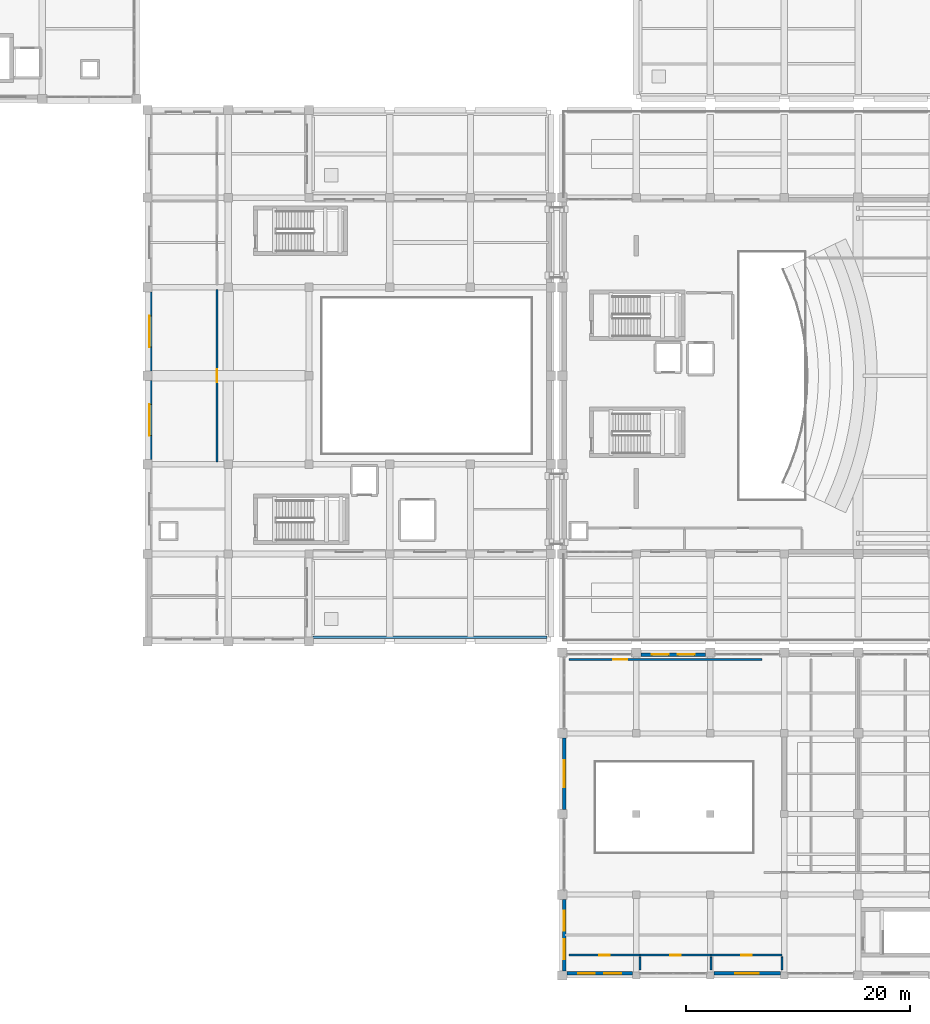
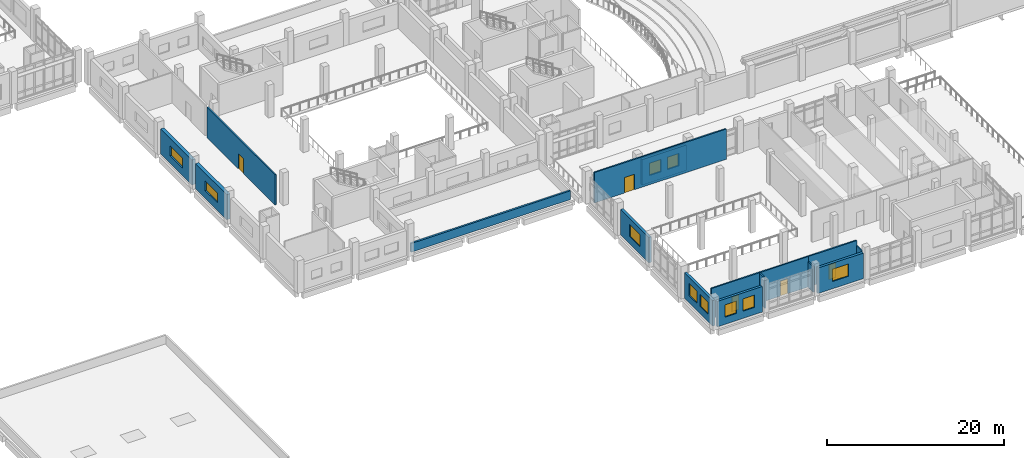
# One storey, part 37 of 54: 16 walls, 10 windows, 5 doors, 15 openings.
"""IFC4 building model written with IfcOpenShell, lengths in metres."""

from ifc_helpers import new_model, si_unit, direction, frame, frame_2d, origin, place, context, subcontext, project, spatial, rectangle, extrude, material, layer, layer_set, type_object, element, fill, save


model = new_model("IFC4")

# Units and contexts
model_context = context("Model", 3, precision=1e-05, world=origin(), true_north=direction((0.0, 1.0)))
body_context = subcontext(model_context, "Body", "Model", "MODEL_VIEW")
ifc_project = project(units=[si_unit("LENGTHUNIT", "METRE"), si_unit("AREAUNIT", "SQUARE_METRE"), si_unit("VOLUMEUNIT", "CUBIC_METRE"), si_unit("PLANEANGLEUNIT", "RADIAN"), si_unit("MASSUNIT", "GRAM", prefix="KILO")], contexts=[model_context])

# Site, building, storey
site_placement = place(None, origin())
site = spatial("IfcSite", under=ifc_project, at=site_placement, CompositionType="ELEMENT")
building_placement = place(site_placement, origin())
building = spatial("IfcBuilding", under=site, at=building_placement, Name="Kelarvand Opera House", CompositionType="ELEMENT")
storey_placement = place(building_placement, frame((0.0, 0.0, 15.0)))
storey = spatial("IfcBuildingStorey", under=building, at=storey_placement, Name="L03", CompositionType="ELEMENT", Elevation=15.0)

# Walls
ifc_material_1 = material(Name="Acoustic double-stud gypsum partition")
ifc_layer_1 = layer(ifc_material_1, 0.14990234375, Name="Acoustic double-stud gypsum partition")
ifc_layer_set_1 = layer_set([ifc_layer_1], Name="Acoustic double-stud gypsum partition")
wall_type_1 = type_object("IfcWallType", Name="Acoustic Room Partition Wall 150", PredefinedType="PARTITIONING", material=ifc_layer_set_1)
wall_1_placement = place(storey_placement, frame((95.93310546875, 9.5, 0.0), z_axis=(0.0, 0.0, 1.0), x_axis=(0.0, 1.0, 0.0)))
element("IfcWall", 1, at=wall_1_placement, inside=storey, type_object=wall_type_1, Name="V6 L03 Partition Wall IW-150 (608)", PredefinedType="PARTITIONING", context=body_context, shape_type="SweptSolid", body=[
    extrude(rectangle(XDim=1.159912109375, YDim=0.14990234375, at=frame_2d((0.580078125, 0.0))), origin(), (0.0, 0.0, 1.0), 4.19189453125),
])
for number, where, z_axis, x_axis, name in (
    (2, (102.26708984375, 9.5, 0.0), (0.0, 0.0, 1.0), (0.0, 1.0, 0.0), "V6 L03 Partition Wall IW-150 (610)"),
    (3, (108.60009765625, 9.5, 0.0), (0.0, 0.0, 1.0), (0.0, 1.0, 0.0), "V6 L03 Partition Wall IW-150 (611)"),
):
    element("IfcWall", number, at=place(storey_placement, frame(where, z_axis=z_axis, x_axis=x_axis)), inside=storey, type_object=wall_type_1, Name=name, PredefinedType="PARTITIONING", context=body_context, shape_type="SweptSolid", body=[
        extrude(rectangle(XDim=1.159912109375, YDim=0.14990234375, at=frame_2d((0.580078125, 0.0))), origin(), (0.0, 0.0, 1.0), 3.52197265625),
    ])
ifc_material_2 = material(Name="Concrete C35/45", Category="concrete")
ifc_layer_2 = layer(ifc_material_2, 0.239990234375, Name="Concrete C35/45", Category="concrete")
ifc_layer_set_2 = layer_set([ifc_layer_2], Name="Concrete C35/45")
wall_type_2 = type_object("IfcWallType", Name="Capped Travertine Roof Parapet 240", PredefinedType="PARAPET", material=ifc_layer_set_2)
wall_2_placement = place(storey_placement, frame((66.780029296875, 39.179931640625, 0.0), z_axis=(0.0, 0.0, 1.0), x_axis=(1.0, 0.0, 0.0)))
element("IfcWall", 4, at=wall_2_placement, inside=storey, type_object=wall_type_2, Name="V2 Roof Parapet 5", PredefinedType="PARAPET", context=body_context, shape_type="SweptSolid", body=[
    extrude(rectangle(XDim=20.840087890625, YDim=0.239990234375, at=frame_2d((10.419921875, 0.0))), origin(), (0.0, 0.0, 1.0), 1.199951171875),
])

# Wall, opening, door
ifc_layer_3 = layer(ifc_material_2, 0.179931640625, Name="Concrete C35/45", Category="concrete")
ifc_layer_set_3 = layer_set([ifc_layer_3], Name="Concrete C35/45")
wall_type_3 = type_object("IfcWallType", Name="Corridor Fire-Rated Partition Wall 180 EI90", PredefinedType="PARTITIONING", material=ifc_layer_set_3)
wall_3_placement = place(storey_placement, frame((58.199951171875, 54.800048828125, 0.0), z_axis=(0.0, 0.0, 1.0), x_axis=(0.0, 1.0, 0.0)))
wall_3 = element("IfcWall", 5, at=wall_3_placement, inside=storey, type_object=wall_type_3, Name="V2 L03 Partition Wall IW-90 (584)", PredefinedType="PARTITIONING", context=body_context, shape_type="SweptSolid", body=[
    extrude(rectangle(XDim=15.39990234375, YDim=0.179931640625, at=frame_2d((7.699951171875, 0.0))), origin(), (0.0, 0.0, 1.0), 4.19189453125),
])
opening_1_placement = place(wall_3_placement, frame((7.139892578125, 0.0, 0.0)))
opening_1 = element("IfcOpeningElement", 6, at=opening_1_placement, cuts=wall_3, Name="Opening D-10", PredefinedType="OPENING", context=body_context, shape_type="SweptSolid", body=[
    extrude(rectangle(XDim=1.1201171875, YDim=2.1201171875, at=frame_2d((0.56005859375, 1.06005859375))), frame((0.0, 0.10009765625, 0.0), z_axis=(0.0, -1.0, 0.0), x_axis=(1.0, 0.0, 0.0)), (0.0, 0.0, 1.0), 0.199951171875),
])
ifc_material_3 = material(Name="Acoustic walnut-veneered hardwood", Category="wood")
door_type_1 = type_object("IfcDoorType", Name="Chorus Studio Single Door 1120x2120", OperationType="NOTDEFINED", PredefinedType="DOOR", material=ifc_material_3)
door_1_placement = place(opening_1_placement, origin())
door_1 = element("IfcDoor", 7, at=door_1_placement, inside=storey, type_object=door_type_1, Name="V2 L03 Door D-10 (262)", OperationType="SINGLE_SWING_RIGHT", OverallHeight=2.1201171875, OverallWidth=1.1201171875, PredefinedType="DOOR", context=body_context, shape_type="SweptSolid", body=[
    extrude(rectangle(XDim=1.1201171875, YDim=2.1201171875, at=frame_2d((0.56005859375, 1.06005859375))), frame((0.0, 0.02490234375, 0.0), z_axis=(0.0, -1.0, 0.0), x_axis=(1.0, 0.0, 0.0)), (0.0, 0.0, 1.0), 0.050048828125),
])
fill(opening_1, door_1)

wall_4_placement = place(storey_placement, frame((89.60009765625, 37.199951171875, 0.0), z_axis=(0.0, 0.0, 1.0), x_axis=(1.0, 0.0, 0.0)))
wall_4 = element("IfcWall", 8, at=wall_4_placement, inside=storey, type_object=wall_type_3, Name="V6 L03 Partition Wall IW-90 (606)", PredefinedType="PARTITIONING", context=body_context, shape_type="SweptSolid", body=[
    extrude(rectangle(XDim=17.199951171875, YDim=0.179931640625, at=frame_2d((8.60009765625, 0.0))), origin(), (0.0, 0.0, 1.0), 4.19189453125),
])
opening_2_placement = place(wall_4_placement, frame((3.931884765625, 0.0, 0.0)))
opening_2 = element("IfcOpeningElement", 9, at=opening_2_placement, cuts=wall_4, Name="Opening D-11", PredefinedType="OPENING", context=body_context, shape_type="SweptSolid", body=[
    extrude(rectangle(XDim=1.280029296875, YDim=2.139892578125, at=frame_2d((0.64013671875, 1.06982421875))), frame((0.0, 0.10009765625, 0.0), z_axis=(0.0, -1.0, 0.0), x_axis=(1.0, 0.0, 0.0)), (0.0, 0.0, 1.0), 0.199951171875),
])
door_type_2 = type_object("IfcDoorType", Name="Instrument Store Leaf-and-Half Door 1280x2140", OperationType="NOTDEFINED", PredefinedType="DOOR", material=ifc_material_3)
door_2_placement = place(opening_2_placement, origin())
door_2 = element("IfcDoor", 10, at=door_2_placement, inside=storey, type_object=door_type_2, Name="V6 L03 Door D-11 (272)", OperationType="SINGLE_SWING_RIGHT", OverallHeight=2.139892578125, OverallWidth=1.280029296875, PredefinedType="DOOR", context=body_context, shape_type="SweptSolid", body=[
    extrude(rectangle(XDim=1.280029296875, YDim=2.139892578125, at=frame_2d((0.64013671875, 1.06982421875))), frame((0.0, 0.02490234375, 0.0), z_axis=(0.0, -1.0, 0.0), x_axis=(1.0, 0.0, 0.0)), (0.0, 0.0, 1.0), 0.050048828125),
])
fill(opening_2, door_2)

wall_5_placement = place(storey_placement, frame((89.60009765625, 10.800048828125, 0.0), z_axis=(0.0, 0.0, 1.0), x_axis=(1.0, 0.0, 0.0)))
wall_5 = element("IfcWall", 11, at=wall_5_placement, inside=storey, type_object=wall_type_3, Name="V6 L03 Partition Wall IW-90 (607)", PredefinedType="PARTITIONING", context=body_context, shape_type="SweptSolid", body=[
    extrude(rectangle(XDim=6.3330078125, YDim=0.179931640625, at=frame_2d((3.16650390625, 0.0))), origin(), (0.0, 0.0, 1.0), 4.19189453125),
])
opening_3_placement = place(wall_5_placement, frame((2.70703125, 0.0, 0.0)))
opening_3 = element("IfcOpeningElement", 12, at=opening_3_placement, cuts=wall_5, Name="Opening D-01", PredefinedType="OPENING", context=body_context, shape_type="SweptSolid", body=[
    extrude(rectangle(XDim=0.919921875, YDim=2.050048828125, at=frame_2d((0.4599609375, 1.02490234375))), frame((0.0, 0.10009765625, 0.0), z_axis=(0.0, -1.0, 0.0), x_axis=(1.0, 0.0, 0.0)), (0.0, 0.0, 1.0), 0.199951171875),
])
door_type_3 = type_object("IfcDoorType", Name="Solid Timber Dressing and WC Door 920x2050", OperationType="NOTDEFINED", PredefinedType="DOOR", material=ifc_material_3)
door_3_placement = place(opening_3_placement, origin())
door_3 = element("IfcDoor", 13, at=door_3_placement, inside=storey, type_object=door_type_3, Name="V6 L03 Door D-01 (273)", OperationType="SINGLE_SWING_LEFT", OverallHeight=2.050048828125, OverallWidth=0.919921875, PredefinedType="DOOR", context=body_context, shape_type="SweptSolid", body=[
    extrude(rectangle(XDim=0.919921875, YDim=2.050048828125, at=frame_2d((0.4599609375, 1.02490234375))), frame((0.0, 0.02490234375, 0.0), z_axis=(0.0, -1.0, 0.0), x_axis=(1.0, 0.0, 0.0)), (0.0, 0.0, 1.0), 0.050048828125),
])
fill(opening_3, door_3)

wall_6_placement = place(storey_placement, frame((95.93310546875, 10.800048828125, 0.0), z_axis=(0.0, 0.0, 1.0), x_axis=(1.0, 0.0, 0.0)))
wall_6 = element("IfcWall", 14, at=wall_6_placement, inside=storey, type_object=wall_type_3, Name="V6 L03 Partition Wall IW-90 (609)", PredefinedType="PARTITIONING", context=body_context, shape_type="SweptSolid", body=[
    extrude(rectangle(XDim=6.333984375, YDim=0.179931640625, at=frame_2d((3.1669921875, 0.0))), origin(), (0.0, 0.0, 1.0), 4.19189453125),
])
opening_4_placement = place(wall_6_placement, frame((2.70703125, 0.0, 0.0)))
opening_4 = element("IfcOpeningElement", 15, at=opening_4_placement, cuts=wall_6, Name="Opening D-01", PredefinedType="OPENING", context=body_context, shape_type="SweptSolid", body=[
    extrude(rectangle(XDim=0.919921875, YDim=2.050048828125, at=frame_2d((0.4599609375, 1.02490234375))), frame((0.0, 0.10009765625, 0.0), z_axis=(0.0, -1.0, 0.0), x_axis=(1.0, 0.0, 0.0)), (0.0, 0.0, 1.0), 0.199951171875),
])
door_4_placement = place(opening_4_placement, origin())
door_4 = element("IfcDoor", 16, at=door_4_placement, inside=storey, type_object=door_type_3, Name="V6 L03 Door D-01 (274)", OperationType="SINGLE_SWING_RIGHT", OverallHeight=2.050048828125, OverallWidth=0.919921875, PredefinedType="DOOR", context=body_context, shape_type="SweptSolid", body=[
    extrude(rectangle(XDim=0.919921875, YDim=2.050048828125, at=frame_2d((0.4599609375, 1.02490234375))), frame((0.0, 0.02490234375, 0.0), z_axis=(0.0, -1.0, 0.0), x_axis=(1.0, 0.0, 0.0)), (0.0, 0.0, 1.0), 0.050048828125),
])
fill(opening_4, door_4)

wall_7_placement = place(storey_placement, frame((102.26708984375, 10.800048828125, 0.0), z_axis=(0.0, 0.0, 1.0), x_axis=(1.0, 0.0, 0.0)))
wall_7 = element("IfcWall", 17, at=wall_7_placement, inside=storey, type_object=wall_type_3, Name="V6 L03 Partition Wall IW-90 (612)", PredefinedType="PARTITIONING", context=body_context, shape_type="SweptSolid", body=[
    extrude(rectangle(XDim=6.3330078125, YDim=0.179931640625, at=frame_2d((3.16650390625, 0.0))), origin(), (0.0, 0.0, 1.0), 4.19189453125),
])
opening_5_placement = place(wall_7_placement, frame((2.7060546875, 0.0, 0.0)))
opening_5 = element("IfcOpeningElement", 18, at=opening_5_placement, cuts=wall_7, Name="Opening D-01", PredefinedType="OPENING", context=body_context, shape_type="SweptSolid", body=[
    extrude(rectangle(XDim=0.919921875, YDim=2.050048828125, at=frame_2d((0.4599609375, 1.02490234375))), frame((0.0, 0.10009765625, 0.0), z_axis=(0.0, -1.0, 0.0), x_axis=(1.0, 0.0, 0.0)), (0.0, 0.0, 1.0), 0.199951171875),
])
door_5_placement = place(opening_5_placement, origin())
door_5 = element("IfcDoor", 19, at=door_5_placement, inside=storey, type_object=door_type_3, Name="V6 L03 Door D-01 (275)", OperationType="SINGLE_SWING_LEFT", OverallHeight=2.050048828125, OverallWidth=0.919921875, PredefinedType="DOOR", context=body_context, shape_type="SweptSolid", body=[
    extrude(rectangle(XDim=0.919921875, YDim=2.050048828125, at=frame_2d((0.4599609375, 1.02490234375))), frame((0.0, 0.02490234375, 0.0), z_axis=(0.0, -1.0, 0.0), x_axis=(1.0, 0.0, 0.0)), (0.0, 0.0, 1.0), 0.050048828125),
])
fill(opening_5, door_5)

# Wall, openings, windows
ifc_layer_4 = layer(ifc_material_2, 0.320068359375, Name="Concrete C35/45", Category="concrete")
ifc_layer_set_4 = layer_set([ifc_layer_4], Name="Concrete C35/45")
wall_type_4 = type_object("IfcWallType", Name="Insulated Buff Brick Cavity Wall 320", PredefinedType="SOLIDWALL", material=ifc_layer_set_4)
wall_8_placement = place(storey_placement, frame((96.010009765625, 37.6201171875, 0.0), z_axis=(0.0, 0.0, 1.0), x_axis=(1.0, 0.0, 0.0)))
wall_8 = element("IfcWall", 20, at=wall_8_placement, inside=storey, type_object=wall_type_4, Name="V6 L03 Exterior Wall EW-320 (752)", PredefinedType="SOLIDWALL", context=body_context, shape_type="SweptSolid", body=[
    extrude(rectangle(XDim=5.780029296875, YDim=0.320068359375, at=frame_2d((2.89013671875, 0.0))), origin(), (0.0, 0.0, 1.0), 3.52197265625),
])
opening_6_placement = place(wall_8_placement, frame((0.98388671875, 0.0, 1.0)))
opening_6 = element("IfcOpeningElement", 21, at=opening_6_placement, cuts=wall_8, Name="Opening WN-17", PredefinedType="OPENING", context=body_context, shape_type="SweptSolid", body=[
    extrude(rectangle(XDim=1.5, YDim=1.699951171875, at=frame_2d((0.75, 0.85009765625))), frame((0.0, 0.169921875, 0.0), z_axis=(0.0, -1.0, 0.0), x_axis=(1.0, 0.0, 0.0)), (0.0, 0.0, 1.0), 0.340087890625),
])
opening_7_placement = place(wall_8_placement, frame((3.2958984375, 0.0, 1.0)))
opening_7 = element("IfcOpeningElement", 22, at=opening_7_placement, cuts=wall_8, Name="Opening WN-17", PredefinedType="OPENING", context=body_context, shape_type="SweptSolid", body=[
    extrude(rectangle(XDim=1.5, YDim=1.699951171875, at=frame_2d((0.75, 0.85009765625))), frame((0.0, 0.169921875, 0.0), z_axis=(0.0, -1.0, 0.0), x_axis=(1.0, 0.0, 0.0)), (0.0, 0.0, 1.0), 0.340087890625),
])
ifc_material_4 = material(Name="Thermally broken aluminium and low-E double glazing", Category="aluminium")
window_type_1 = type_object("IfcWindowType", Name="Recessed Aluminium Thermal Window 1500x1700 WN-17", PartitioningType="SINGLE_PANEL", PredefinedType="WINDOW", material=ifc_material_4)
window_1_placement = place(opening_6_placement, origin())
window_1 = element("IfcWindow", 23, at=window_1_placement, inside=storey, type_object=window_type_1, Name="V6 L03 Facade Window WN-17 (355)", OverallHeight=1.699951171875, OverallWidth=1.5, PartitioningType="SINGLE_PANEL", PredefinedType="WINDOW", context=body_context, shape_type="SweptSolid", body=[
    extrude(rectangle(XDim=1.5, YDim=1.699951171875, at=frame_2d((0.75, 0.85009765625))), frame((0.0, 0.030029296875, 0.0), z_axis=(0.0, -1.0, 0.0), x_axis=(1.0, 0.0, 0.0)), (0.0, 0.0, 1.0), 0.06005859375),
])
fill(opening_6, window_1)
window_2_placement = place(opening_7_placement, origin())
window_2 = element("IfcWindow", 24, at=window_2_placement, inside=storey, type_object=window_type_1, Name="V6 L03 Facade Window WN-17 (356)", OverallHeight=1.699951171875, OverallWidth=1.5, PartitioningType="SINGLE_PANEL", PredefinedType="WINDOW", context=body_context, shape_type="SweptSolid", body=[
    extrude(rectangle(XDim=1.5, YDim=1.699951171875, at=frame_2d((0.75, 0.85009765625))), frame((0.0, 0.030029296875, 0.0), z_axis=(0.0, -1.0, 0.0), x_axis=(1.0, 0.0, 0.0)), (0.0, 0.0, 1.0), 0.06005859375),
])
fill(opening_7, window_2)

wall_9_placement = place(storey_placement, frame((89.179931640625, 9.409912109375, 0.0), z_axis=(0.0, 0.0, 1.0), x_axis=(0.0, 1.0, 0.0)))
wall_9 = element("IfcWall", 25, at=wall_9_placement, inside=storey, type_object=wall_type_4, Name="V6 L03 Exterior Wall EW-320 (755)", PredefinedType="SOLIDWALL", context=body_context, shape_type="SweptSolid", body=[
    extrude(rectangle(XDim=6.380126953125, YDim=0.320068359375, at=frame_2d((3.18994140625, 0.0))), origin(), (0.0, 0.0, 1.0), 3.52197265625),
])
opening_8_placement = place(wall_9_placement, frame((1.013916015625, 0.0, 1.0)))
opening_8 = element("IfcOpeningElement", 26, at=opening_8_placement, cuts=wall_9, Name="Opening WN-18", PredefinedType="OPENING", context=body_context, shape_type="SweptSolid", body=[
    extrude(rectangle(XDim=1.800048828125, YDim=1.699951171875, at=frame_2d((0.89990234375, 0.85009765625))), frame((0.0, 0.169921875, 0.0), z_axis=(0.0, -1.0, 0.0), x_axis=(1.0, 0.0, 0.0)), (0.0, 0.0, 1.0), 0.340087890625),
])
opening_9_placement = place(wall_9_placement, frame((3.56591796875, 0.0, 1.0)))
opening_9 = element("IfcOpeningElement", 27, at=opening_9_placement, cuts=wall_9, Name="Opening WN-18", PredefinedType="OPENING", context=body_context, shape_type="SweptSolid", body=[
    extrude(rectangle(XDim=1.800048828125, YDim=1.699951171875, at=frame_2d((0.89990234375, 0.85009765625))), frame((0.0, 0.169921875, 0.0), z_axis=(0.0, -1.0, 0.0), x_axis=(1.0, 0.0, 0.0)), (0.0, 0.0, 1.0), 0.340087890625),
])
window_type_2 = type_object("IfcWindowType", Name="Recessed Aluminium Thermal Window 1800x1700 WN-18", PartitioningType="SINGLE_PANEL", PredefinedType="WINDOW", material=ifc_material_4)
window_3_placement = place(opening_8_placement, origin())
window_3 = element("IfcWindow", 28, at=window_3_placement, inside=storey, type_object=window_type_2, Name="V6 L03 Facade Window WN-18 (359)", OverallHeight=1.699951171875, OverallWidth=1.800048828125, PartitioningType="SINGLE_PANEL", PredefinedType="WINDOW", context=body_context, shape_type="SweptSolid", body=[
    extrude(rectangle(XDim=1.800048828125, YDim=1.699951171875, at=frame_2d((0.89990234375, 0.85009765625))), frame((0.0, 0.030029296875, 0.0), z_axis=(0.0, -1.0, 0.0), x_axis=(1.0, 0.0, 0.0)), (0.0, 0.0, 1.0), 0.06005859375),
])
fill(opening_8, window_3)
window_4_placement = place(opening_9_placement, origin())
window_4 = element("IfcWindow", 29, at=window_4_placement, inside=storey, type_object=window_type_2, Name="V6 L03 Facade Window WN-18 (360)", OverallHeight=1.699951171875, OverallWidth=1.800048828125, PartitioningType="SINGLE_PANEL", PredefinedType="WINDOW", context=body_context, shape_type="SweptSolid", body=[
    extrude(rectangle(XDim=1.800048828125, YDim=1.699951171875, at=frame_2d((0.89990234375, 0.85009765625))), frame((0.0, 0.030029296875, 0.0), z_axis=(0.0, -1.0, 0.0), x_axis=(1.0, 0.0, 0.0)), (0.0, 0.0, 1.0), 0.06005859375),
])
fill(opening_9, window_4)

# Wall, opening, window
wall_10_placement = place(storey_placement, frame((89.179931640625, 23.81005859375, 0.0), z_axis=(0.0, 0.0, 1.0), x_axis=(0.0, 1.0, 0.0)))
wall_10 = element("IfcWall", 30, at=wall_10_placement, inside=storey, type_object=wall_type_4, Name="V6 L03 Exterior Wall EW-320 (756)", PredefinedType="SOLIDWALL", context=body_context, shape_type="SweptSolid", body=[
    extrude(rectangle(XDim=6.3798828125, YDim=0.320068359375, at=frame_2d((3.18994140625, 0.0))), origin(), (0.0, 0.0, 1.0), 3.52197265625),
])
opening_10_placement = place(wall_10_placement, frame((1.989990234375, 0.0, 1.0)))
opening_10 = element("IfcOpeningElement", 31, at=opening_10_placement, cuts=wall_10, Name="Opening WN-20", PredefinedType="OPENING", context=body_context, shape_type="SweptSolid", body=[
    extrude(rectangle(XDim=2.39990234375, YDim=1.699951171875, at=frame_2d((1.199951171875, 0.85009765625))), frame((0.0, 0.169921875, 0.0), z_axis=(0.0, -1.0, 0.0), x_axis=(1.0, 0.0, 0.0)), (0.0, 0.0, 1.0), 0.340087890625),
])
window_type_3 = type_object("IfcWindowType", Name="Recessed Aluminium Thermal Window 2400x1700 WN-20", PartitioningType="SINGLE_PANEL", PredefinedType="WINDOW", material=ifc_material_4)
window_5_placement = place(opening_10_placement, origin())
window_5 = element("IfcWindow", 32, at=window_5_placement, inside=storey, type_object=window_type_3, Name="V6 L03 Facade Window WN-20 (361)", OverallHeight=1.699951171875, OverallWidth=2.39990234375, PartitioningType="SINGLE_PANEL", PredefinedType="WINDOW", context=body_context, shape_type="SweptSolid", body=[
    extrude(rectangle(XDim=2.39990234375, YDim=1.699951171875, at=frame_2d((1.199951171875, 0.85009765625))), frame((0.0, 0.030029296875, 0.0), z_axis=(0.0, -1.0, 0.0), x_axis=(1.0, 0.0, 0.0)), (0.0, 0.0, 1.0), 0.06005859375),
])
fill(opening_10, window_5)

wall_11_placement = place(storey_placement, frame((108.47509765625, 9.179931640625, 0.0), z_axis=(0.0, 0.0, 1.0), x_axis=(-1.0, 0.0, 0.0)))
wall_11 = element("IfcWall", 33, at=wall_11_placement, inside=storey, type_object=wall_type_4, Name="V6 L03 Exterior Wall EW-320 (758)", PredefinedType="SOLIDWALL", context=body_context, shape_type="SweptSolid", body=[
    extrude(rectangle(XDim=5.9501953125, YDim=0.320068359375, at=frame_2d((2.97509765625, 0.0))), origin(), (0.0, 0.0, 1.0), 3.52197265625),
])
opening_11_placement = place(wall_11_placement, frame((1.925048828125, 0.0, 1.0)))
opening_11 = element("IfcOpeningElement", 34, at=opening_11_placement, cuts=wall_11, Name="Opening WN-19", PredefinedType="OPENING", context=body_context, shape_type="SweptSolid", body=[
    extrude(rectangle(XDim=2.10009765625, YDim=1.699951171875, at=frame_2d((1.050048828125, 0.85009765625))), frame((0.0, 0.169921875, 0.0), z_axis=(0.0, -1.0, 0.0), x_axis=(1.0, 0.0, 0.0)), (0.0, 0.0, 1.0), 0.340087890625),
])
window_type_4 = type_object("IfcWindowType", Name="Recessed Aluminium Thermal Window 2100x1700 WN-19", PartitioningType="SINGLE_PANEL", PredefinedType="WINDOW", material=ifc_material_4)
window_6_placement = place(opening_11_placement, origin())
window_6 = element("IfcWindow", 35, at=window_6_placement, inside=storey, type_object=window_type_4, Name="V6 L03 Facade Window WN-19 (363)", OverallHeight=1.699951171875, OverallWidth=2.10009765625, PartitioningType="SINGLE_PANEL", PredefinedType="WINDOW", context=body_context, shape_type="SweptSolid", body=[
    extrude(rectangle(XDim=2.10009765625, YDim=1.699951171875, at=frame_2d((1.050048828125, 0.85009765625))), frame((0.0, 0.030029296875, 0.0), z_axis=(0.0, -1.0, 0.0), x_axis=(1.0, 0.0, 0.0)), (0.0, 0.0, 1.0), 0.06005859375),
])
fill(opening_11, window_6)

# Wall, openings, windows
wall_12_placement = place(storey_placement, frame((95.27490234375, 9.179931640625, 0.0), z_axis=(0.0, 0.0, 1.0), x_axis=(-1.0, 0.0, 0.0)))
wall_12 = element("IfcWall", 36, at=wall_12_placement, inside=storey, type_object=wall_type_4, Name="V6 L03 Exterior Wall EW-320 (759)", PredefinedType="SOLIDWALL", context=body_context, shape_type="SweptSolid", body=[
    extrude(rectangle(XDim=5.864990234375, YDim=0.320068359375, at=frame_2d((2.9326171875, 0.0))), origin(), (0.0, 0.0, 1.0), 3.52197265625),
])
opening_12_placement = place(wall_12_placement, frame((1.010009765625, 0.0, 1.0)))
opening_12 = element("IfcOpeningElement", 37, at=opening_12_placement, cuts=wall_12, Name="Opening WN-17", PredefinedType="OPENING", context=body_context, shape_type="SweptSolid", body=[
    extrude(rectangle(XDim=1.5, YDim=1.699951171875, at=frame_2d((0.75, 0.85009765625))), frame((0.0, 0.169921875, 0.0), z_axis=(0.0, -1.0, 0.0), x_axis=(1.0, 0.0, 0.0)), (0.0, 0.0, 1.0), 0.340087890625),
])
opening_13_placement = place(wall_12_placement, frame((3.35595703125, 0.0, 1.0)))
opening_13 = element("IfcOpeningElement", 38, at=opening_13_placement, cuts=wall_12, Name="Opening WN-17", PredefinedType="OPENING", context=body_context, shape_type="SweptSolid", body=[
    extrude(rectangle(XDim=1.5, YDim=1.699951171875, at=frame_2d((0.75, 0.85009765625))), frame((0.0, 0.169921875, 0.0), z_axis=(0.0, -1.0, 0.0), x_axis=(1.0, 0.0, 0.0)), (0.0, 0.0, 1.0), 0.340087890625),
])
window_7_placement = place(opening_12_placement, origin())
window_7 = element("IfcWindow", 39, at=window_7_placement, inside=storey, type_object=window_type_1, Name="V6 L03 Facade Window WN-17 (364)", OverallHeight=1.699951171875, OverallWidth=1.5, PartitioningType="SINGLE_PANEL", PredefinedType="WINDOW", context=body_context, shape_type="SweptSolid", body=[
    extrude(rectangle(XDim=1.5, YDim=1.699951171875, at=frame_2d((0.75, 0.85009765625))), frame((0.0, 0.030029296875, 0.0), z_axis=(0.0, -1.0, 0.0), x_axis=(1.0, 0.0, 0.0)), (0.0, 0.0, 1.0), 0.06005859375),
])
fill(opening_12, window_7)
window_8_placement = place(opening_13_placement, origin())
window_8 = element("IfcWindow", 40, at=window_8_placement, inside=storey, type_object=window_type_1, Name="V6 L03 Facade Window WN-17 (365)", OverallHeight=1.699951171875, OverallWidth=1.5, PartitioningType="SINGLE_PANEL", PredefinedType="WINDOW", context=body_context, shape_type="SweptSolid", body=[
    extrude(rectangle(XDim=1.5, YDim=1.699951171875, at=frame_2d((0.75, 0.85009765625))), frame((0.0, 0.030029296875, 0.0), z_axis=(0.0, -1.0, 0.0), x_axis=(1.0, 0.0, 0.0)), (0.0, 0.0, 1.0), 0.06005859375),
])
fill(opening_13, window_8)

# Wall, opening, window
ifc_layer_5 = layer(ifc_material_2, 0.43994140625, Name="Concrete C35/45", Category="concrete")
ifc_layer_set_5 = layer_set([ifc_layer_5], Name="Concrete C35/45")
wall_type_5 = type_object("IfcWallType", Name="Stage House Acoustic Cavity Wall 440", PredefinedType="SOLIDWALL", material=ifc_layer_set_5)
wall_13_placement = place(storey_placement, frame((52.179931640625, 55.010009765625, 0.0), z_axis=(0.0, 0.0, 1.0), x_axis=(0.0, 1.0, 0.0)))
wall_13 = element("IfcWall", 41, at=wall_13_placement, inside=storey, type_object=wall_type_5, Name="V2 L03 Exterior Wall EW-440 (284)", PredefinedType="SOLIDWALL", context=body_context, shape_type="SweptSolid", body=[
    extrude(rectangle(XDim=7.080078125, YDim=0.43994140625, at=frame_2d((3.5400390625, 0.0))), origin(), (0.0, 0.0, 1.0), 3.4619140625),
])
opening_14_placement = place(wall_13_placement, frame((2.139892578125, 0.0, 1.050048828125)))
opening_14 = element("IfcOpeningElement", 42, at=opening_14_placement, cuts=wall_13, Name="Opening WN-21", PredefinedType="OPENING", context=body_context, shape_type="SweptSolid", body=[
    extrude(rectangle(XDim=2.800048828125, YDim=1.35009765625, at=frame_2d((1.39990234375, 0.675048828125))), frame((0.0, 0.22998046875, 0.0), z_axis=(0.0, -1.0, 0.0), x_axis=(1.0, 0.0, 0.0)), (0.0, 0.0, 1.0), 0.4599609375),
])
window_type_5 = type_object("IfcWindowType", Name="Recessed Aluminium Thermal Window 2800x1350 WN-21", PartitioningType="SINGLE_PANEL", PredefinedType="WINDOW", material=ifc_material_4)
window_9_placement = place(opening_14_placement, origin())
window_9 = element("IfcWindow", 43, at=window_9_placement, inside=storey, type_object=window_type_5, Name="V2 L03 Facade Window WN-21 (70)", OverallHeight=1.35009765625, OverallWidth=2.800048828125, PartitioningType="SINGLE_PANEL", PredefinedType="WINDOW", context=body_context, shape_type="SweptSolid", body=[
    extrude(rectangle(XDim=2.800048828125, YDim=1.35009765625, at=frame_2d((1.39990234375, 0.675048828125))), frame((0.0, 0.030029296875, 0.0), z_axis=(0.0, -1.0, 0.0), x_axis=(1.0, 0.0, 0.0)), (0.0, 0.0, 1.0), 0.06005859375),
])
fill(opening_14, window_9)

wall_14_placement = place(storey_placement, frame((52.179931640625, 62.909912109375, 0.0), z_axis=(0.0, 0.0, 1.0), x_axis=(0.0, 1.0, 0.0)))
wall_14 = element("IfcWall", 44, at=wall_14_placement, inside=storey, type_object=wall_type_5, Name="V2 L03 Exterior Wall EW-440 (285)", PredefinedType="SOLIDWALL", context=body_context, shape_type="SweptSolid", body=[
    extrude(rectangle(XDim=7.080078125, YDim=0.43994140625, at=frame_2d((3.5400390625, 0.0))), origin(), (0.0, 0.0, 1.0), 3.4619140625),
])
opening_15_placement = place(wall_14_placement, frame((2.139892578125, 0.0, 1.050048828125)))
opening_15 = element("IfcOpeningElement", 45, at=opening_15_placement, cuts=wall_14, Name="Opening WN-21", PredefinedType="OPENING", context=body_context, shape_type="SweptSolid", body=[
    extrude(rectangle(XDim=2.800048828125, YDim=1.35009765625, at=frame_2d((1.39990234375, 0.675048828125))), frame((0.0, 0.22998046875, 0.0), z_axis=(0.0, -1.0, 0.0), x_axis=(1.0, 0.0, 0.0)), (0.0, 0.0, 1.0), 0.4599609375),
])
window_10_placement = place(opening_15_placement, origin())
window_10 = element("IfcWindow", 46, at=window_10_placement, inside=storey, type_object=window_type_5, Name="V2 L03 Facade Window WN-21 (71)", OverallHeight=1.35009765625, OverallWidth=2.800048828125, PartitioningType="SINGLE_PANEL", PredefinedType="WINDOW", context=body_context, shape_type="SweptSolid", body=[
    extrude(rectangle(XDim=2.800048828125, YDim=1.35009765625, at=frame_2d((1.39990234375, 0.675048828125))), frame((0.0, 0.030029296875, 0.0), z_axis=(0.0, -1.0, 0.0), x_axis=(1.0, 0.0, 0.0)), (0.0, 0.0, 1.0), 0.06005859375),
])
fill(opening_15, window_10)

save(model, "model.ifc")
